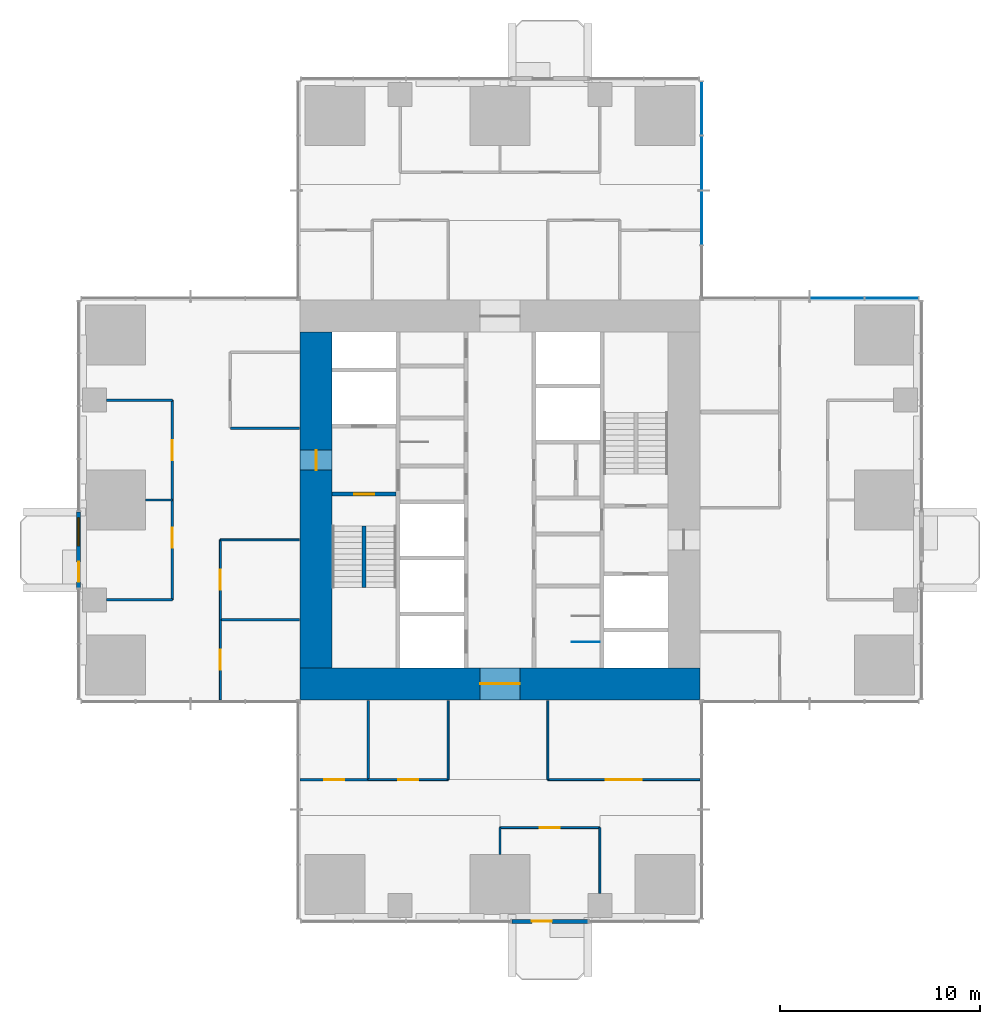
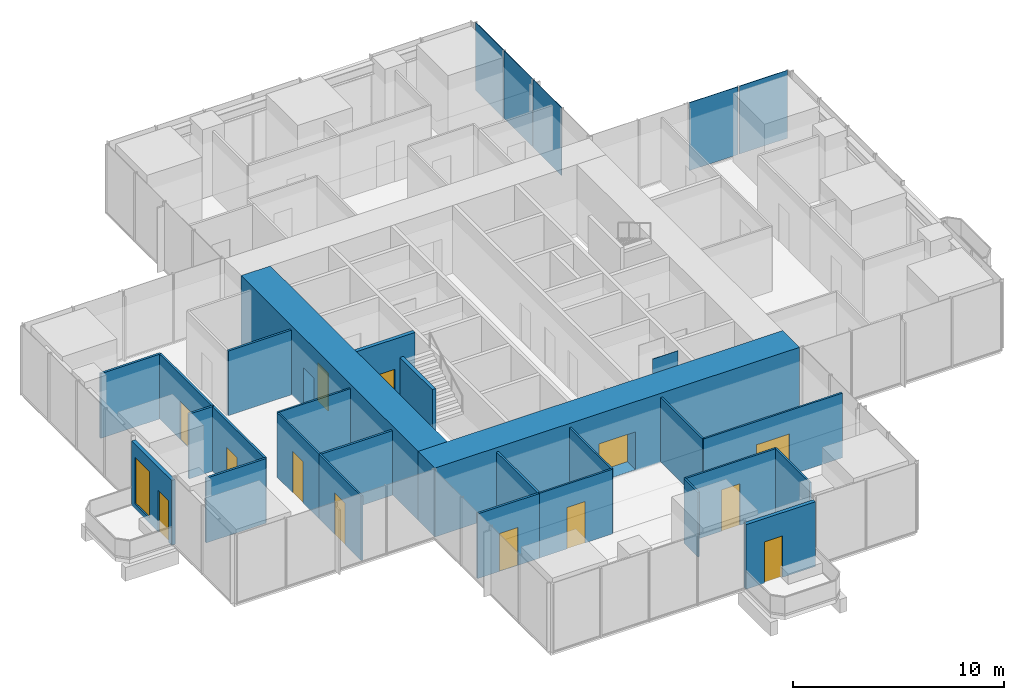
# One storey, part 8 of 14: 26 walls, 13 doors, 5 plates, 1 window, 14 openings, 2 elements without a shape of their own.
"""IFC4 building model written with IfcOpenShell, lengths in metres."""

from ifc_helpers import new_model, si_unit, direction, frame, frame_2d, origin, origin_2d, place, context, subcontext, project, spatial, rectangle, extrude, material, layer, layer_set, type_object, element, fill, aggregate, save


model = new_model("IFC4")

# Units and contexts
model_context = context("Model", 3, precision=1e-05, world=origin(), true_north=direction((0.0, 1.0)))
body_context = subcontext(model_context, "Body", "Model", "MODEL_VIEW")
ifc_project = project(units=[si_unit("LENGTHUNIT", "METRE"), si_unit("AREAUNIT", "SQUARE_METRE"), si_unit("VOLUMEUNIT", "CUBIC_METRE"), si_unit("PLANEANGLEUNIT", "RADIAN"), si_unit("MASSUNIT", "GRAM", prefix="KILO")], contexts=[model_context])

# Site, building, storey
site_placement = place(None, origin())
site = spatial("IfcSite", under=ifc_project, at=site_placement, CompositionType="ELEMENT")
building_placement = place(site_placement, origin())
building = spatial("IfcBuilding", under=site, at=building_placement, Name="Svetlomir Tower", CompositionType="ELEMENT")
storey_placement = place(building_placement, frame((0.0, 0.0, 104.5)))
storey = spatial("IfcBuildingStorey", under=building, at=storey_placement, Name="L24", CompositionType="ELEMENT", Elevation=104.5)

# Curtain wall, plates
ifc_material_1 = material(Name="Bronze anodised aluminium curtain wall", Category="aluminium")
curtain_wall_type = type_object("IfcCurtainWallType", Name="CURTAIN WALL CW1 TOWER OFFICE", PredefinedType="NOTDEFINED", material=ifc_material_1)
curtain_wall_1_placement = place(storey_placement, origin())
curtain_wall_1 = element("IfcCurtainWall", 1, at=curtain_wall_1_placement, inside=storey, type_object=curtain_wall_type, Name="Curtain wall CW1 L24", PredefinedType="NOTDEFINED")
ifc_material_2 = material(Name="Tinted double glazed unit", Category="glass")
ifc_layer_1 = layer(ifc_material_2, 0.031982421875)
ifc_layer_set_1 = layer_set([ifc_layer_1], Name="Tinted double glazed unit")
plate_type = type_object("IfcPlateType", Name="CW1 GLAZED PANEL 32", PredefinedType="CURTAIN_PANEL", material=ifc_layer_set_1)
plate_1_placement = place(storey_placement, frame((40.608642578125, 31.10009765625, 0.06494140625), z_axis=(0.0, 0.0, 1.0), x_axis=(-1.0, 0.0, 0.0)))
plate_1 = element("IfcPlate", 2, at=plate_1_placement, type_object=plate_type, Name="CW1 panel 1.1", PredefinedType="CURTAIN_PANEL", context=body_context, shape_type="SweptSolid", body=[
    extrude(rectangle(XDim=2.652587890625, YDim=0.031982421875, at=origin_2d()), origin(), (0.0, 0.0, 1.0), 3.93505859375),
])
plate_2_placement = place(storey_placement, frame((37.875, 31.10009765625, 0.06494140625), z_axis=(0.0, 0.0, 1.0), x_axis=(-1.0, 0.0, 0.0)))
plate_2 = element("IfcPlate", 3, at=plate_2_placement, type_object=plate_type, Name="CW1 panel 2.1", PredefinedType="CURTAIN_PANEL", context=body_context, shape_type="SweptSolid", body=[
    extrude(rectangle(XDim=2.68505859375, YDim=0.031982421875, at=origin_2d()), origin(), (0.0, 0.0, 1.0), 3.93505859375),
])
aggregate(curtain_wall_1, [plate_1, plate_2])

curtain_wall_2_placement = place(storey_placement, origin())
curtain_wall_2 = element("IfcCurtainWall", 4, at=curtain_wall_2_placement, inside=storey, type_object=curtain_wall_type, Name="Curtain wall CW1 L24", PredefinedType="NOTDEFINED")
plate_3_placement = place(storey_placement, frame((31.10009765625, 35.125, 0.06494140625), z_axis=(0.0, 0.0, 1.0), x_axis=(0.0, 1.0, 0.0)))
plate_3 = element("IfcPlate", 5, at=plate_3_placement, type_object=plate_type, Name="CW1 panel 2.1", PredefinedType="CURTAIN_PANEL", context=body_context, shape_type="SweptSolid", body=[
    extrude(rectangle(XDim=2.68505859375, YDim=0.031982421875, at=origin_2d()), origin(), (0.0, 0.0, 1.0), 3.93505859375),
])
plate_4_placement = place(storey_placement, frame((31.10009765625, 37.875, 0.06494140625), z_axis=(0.0, 0.0, 1.0), x_axis=(0.0, 1.0, 0.0)))
plate_4 = element("IfcPlate", 6, at=plate_4_placement, type_object=plate_type, Name="CW1 panel 3.1", PredefinedType="CURTAIN_PANEL", context=body_context, shape_type="SweptSolid", body=[
    extrude(rectangle(XDim=2.68505859375, YDim=0.031982421875, at=origin_2d()), origin(), (0.0, 0.0, 1.0), 3.93505859375),
])
plate_5_placement = place(storey_placement, frame((31.10009765625, 40.608642578125, 0.06494140625), z_axis=(0.0, 0.0, 1.0), x_axis=(0.0, 1.0, 0.0)))
plate_5 = element("IfcPlate", 7, at=plate_5_placement, type_object=plate_type, Name="CW1 panel 4.1", PredefinedType="CURTAIN_PANEL", context=body_context, shape_type="SweptSolid", body=[
    extrude(rectangle(XDim=2.652587890625, YDim=0.031982421875, at=origin_2d()), origin(), (0.0, 0.0, 1.0), 3.93505859375),
])
aggregate(curtain_wall_2, [plate_3, plate_4, plate_5])

# Wall, opening, door
ifc_material_3 = material(Name="Bronze anodised aluminium glazed screen", Category="aluminium")
ifc_layer_2 = layer(ifc_material_3, 0.199951171875)
ifc_layer_set_2 = layer_set([ifc_layer_2], Name="Bronze anodised aluminium glazed screen")
wall_type_1 = type_object("IfcWallType", Name="BALCONY SCREEN WALL 200", PredefinedType="USERDEFINED", material=ifc_layer_set_2)
wall_1_placement = place(storey_placement, frame((21.60009765625, -0.10009765625, 0.0), z_axis=(0.0, 0.0, 1.0), x_axis=(1.0, 0.0, 0.0)))
wall_1 = element("IfcWall", 8, at=wall_1_placement, inside=storey, type_object=wall_type_1, Name="Balcony screen S", ObjectType="GLAZED SCREEN", PredefinedType="USERDEFINED", context=body_context, shape_type="SweptSolid", body=[
    extrude(rectangle(XDim=3.7998046875, YDim=0.199951171875, at=frame_2d((1.89990234375, 0.0))), origin(), (0.0, 0.0, 1.0), 3.75),
])
opening_1_placement = place(wall_1_placement, frame((1.0, 0.0, 0.0)))
opening_1 = element("IfcOpeningElement", 9, at=opening_1_placement, cuts=wall_1, Name="Opening BD", PredefinedType="OPENING", context=body_context, shape_type="SweptSolid", body=[
    extrude(rectangle(XDim=1.0, YDim=2.39990234375, at=frame_2d((0.5, 1.199951171875))), frame((0.0, 0.10986328125, 0.0), z_axis=(0.0, -1.0, 0.0), x_axis=(1.0, 0.0, 0.0)), (0.0, 0.0, 1.0), 0.219970703125),
])
ifc_material_4 = material(Name="Bronze anodised aluminium glazed door", Category="aluminium")
door_type_1 = type_object("IfcDoorType", Name="BALCONY DOOR BD 1000x2400", OperationType="SINGLE_SWING_LEFT", PredefinedType="DOOR", material=ifc_material_4)
door_1_placement = place(opening_1_placement, origin())
door_1 = element("IfcDoor", 10, at=door_1_placement, inside=storey, type_object=door_type_1, Name="Balcony screen S door", OperationType="SINGLE_SWING_LEFT", OverallHeight=2.39990234375, OverallWidth=1.0, PredefinedType="DOOR", context=body_context, shape_type="SweptSolid", body=[
    extrude(rectangle(XDim=1.0, YDim=2.39990234375, at=frame_2d((0.5, 1.199951171875))), frame((0.0, 0.02490234375, 0.0), z_axis=(0.0, -1.0, 0.0), x_axis=(1.0, 0.0, 0.0)), (0.0, 0.0, 1.0), 0.050048828125),
])
fill(opening_1, door_1)

# Wall, openings, door, window
wall_2_placement = place(storey_placement, frame((-0.10009765625, 20.39990234375, 0.0), z_axis=(0.0, 0.0, 1.0), x_axis=(0.0, -1.0, 0.0)))
wall_2 = element("IfcWall", 11, at=wall_2_placement, inside=storey, type_object=wall_type_1, Name="Balcony screen W", ObjectType="GLAZED SCREEN", PredefinedType="USERDEFINED", context=body_context, shape_type="SweptSolid", body=[
    extrude(rectangle(XDim=3.7998046875, YDim=0.199951171875, at=frame_2d((1.89990234375, 0.0))), origin(), (0.0, 0.0, 1.0), 3.75),
])
opening_2_placement = place(wall_2_placement, frame((2.5, 0.0, 0.0)))
opening_2 = element("IfcOpeningElement", 12, at=opening_2_placement, cuts=wall_2, Name="Opening BD", PredefinedType="OPENING", context=body_context, shape_type="SweptSolid", body=[
    extrude(rectangle(XDim=1.0, YDim=2.39990234375, at=frame_2d((0.5, 1.199951171875))), frame((0.0, 0.10986328125, 0.0), z_axis=(0.0, -1.0, 0.0), x_axis=(1.0, 0.0, 0.0)), (0.0, 0.0, 1.0), 0.219970703125),
])
opening_3_placement = place(wall_2_placement, frame((0.300048828125, 0.0, 0.300048828125)))
opening_3 = element("IfcOpeningElement", 13, at=opening_3_placement, cuts=wall_2, Name="Opening WS2", PredefinedType="OPENING", context=body_context, shape_type="SweptSolid", body=[
    extrude(rectangle(XDim=1.39990234375, YDim=2.699951171875, at=frame_2d((0.699951171875, 1.35009765625))), frame((0.0, 0.10986328125, 0.0), z_axis=(0.0, -1.0, 0.0), x_axis=(1.0, 0.0, 0.0)), (0.0, 0.0, 1.0), 0.219970703125),
])
door_2_placement = place(opening_2_placement, origin())
door_2 = element("IfcDoor", 14, at=door_2_placement, inside=storey, type_object=door_type_1, Name="Balcony screen W door", OperationType="SINGLE_SWING_LEFT", OverallHeight=2.39990234375, OverallWidth=1.0, PredefinedType="DOOR", context=body_context, shape_type="SweptSolid", body=[
    extrude(rectangle(XDim=1.0, YDim=2.39990234375, at=frame_2d((0.5, 1.199951171875))), frame((0.0, 0.02490234375, 0.0), z_axis=(0.0, -1.0, 0.0), x_axis=(1.0, 0.0, 0.0)), (0.0, 0.0, 1.0), 0.050048828125),
])
fill(opening_2, door_2)
ifc_material_5 = material(Name="Bronze anodised aluminium window", Category="aluminium")
window_type = type_object("IfcWindowType", Name="SCREEN WINDOW WS2 1400x2700", PartitioningType="SINGLE_PANEL", PredefinedType="WINDOW", material=ifc_material_5)
window_placement = place(opening_3_placement, origin())
window = element("IfcWindow", 15, at=window_placement, inside=storey, type_object=window_type, Name="Balcony screen W window 1", OverallHeight=2.699951171875, OverallWidth=1.39990234375, PartitioningType="SINGLE_PANEL", PredefinedType="WINDOW", context=body_context, shape_type="SweptSolid", body=[
    extrude(rectangle(XDim=1.39990234375, YDim=2.699951171875, at=frame_2d((0.699951171875, 1.35009765625))), frame((0.0, 0.030029296875, 0.0), z_axis=(0.0, -1.0, 0.0), x_axis=(1.0, 0.0, 0.0)), (0.0, 0.0, 1.0), 0.06005859375),
])
fill(opening_3, window)

# Wall, opening, door
ifc_material_6 = material(Name="Concrete C60/75", Category="concrete")
ifc_layer_3 = layer(ifc_material_6, 0.199951171875)
ifc_layer_set_3 = layer_set([ifc_layer_3], Name="Concrete C60/75")
wall_type_2 = type_object("IfcWallType", Name="CORE INNER WALL 200", PredefinedType="SHEAR", material=ifc_layer_set_3)
wall_3_placement = place(storey_placement, frame((12.60009765625, 21.300048828125, -0.050048828125), z_axis=(0.0, 0.0, 1.0), x_axis=(1.0, 0.0, 0.0)))
wall_3 = element("IfcWall", 16, at=wall_3_placement, inside=storey, type_object=wall_type_2, Name="Core inner wall 12.6-15.8/21.3 L24", PredefinedType="SHEAR", context=body_context, shape_type="SweptSolid", body=[
    extrude(rectangle(XDim=3.199951171875, YDim=0.199951171875, at=frame_2d((1.60009765625, 0.0))), origin(), (0.0, 0.0, 1.0), 4.0),
])
opening_4_placement = place(wall_3_placement, frame((1.10009765625, 0.0, 0.050048828125)))
opening_4 = element("IfcOpeningElement", 17, at=opening_4_placement, cuts=wall_3, Name="Opening DF", PredefinedType="OPENING", context=body_context, shape_type="SweptSolid", body=[
    extrude(rectangle(XDim=1.0, YDim=2.199951171875, at=frame_2d((0.5, 1.10009765625))), frame((0.0, 0.10986328125, 0.0), z_axis=(0.0, -1.0, 0.0), x_axis=(1.0, 0.0, 0.0)), (0.0, 0.0, 1.0), 0.219970703125),
])
ifc_material_7 = material(Name="Steel fire door", Category="steel")
door_type_2 = type_object("IfcDoorType", Name="DOOR DF 1000x2200", OperationType="SINGLE_SWING_LEFT", PredefinedType="DOOR", material=ifc_material_7)
door_3_placement = place(opening_4_placement, origin())
door_3 = element("IfcDoor", 18, at=door_3_placement, inside=storey, type_object=door_type_2, Name="Stair S1 door L24", OperationType="SINGLE_SWING_LEFT", OverallHeight=2.199951171875, OverallWidth=1.0, PredefinedType="DOOR", context=body_context, shape_type="SweptSolid", body=[
    extrude(rectangle(XDim=1.0, YDim=2.199951171875, at=frame_2d((0.5, 1.10009765625))), frame((0.0, 0.02490234375, 0.0), z_axis=(0.0, -1.0, 0.0), x_axis=(1.0, 0.0, 0.0)), (0.0, 0.0, 1.0), 0.050048828125),
])
fill(opening_4, door_3)

ifc_material_8 = material(Name="Concrete C60/75", Category="concrete")
ifc_layer_4 = layer(ifc_material_8, 1.60009765625)
ifc_layer_set_4 = layer_set([ifc_layer_4], Name="Concrete C60/75")
wall_type_3 = type_object("IfcWallType", Name="CORE WALL 1600", PredefinedType="SHEAR", material=ifc_layer_set_4)
wall_4_placement = place(storey_placement, frame((11.0, 11.800048828125, -0.050048828125), z_axis=(0.0, 0.0, 1.0), x_axis=(1.0, 0.0, 0.0)))
wall_4 = element("IfcWall", 19, at=wall_4_placement, inside=storey, type_object=wall_type_3, Name="Core wall south L24", PredefinedType="SHEAR", context=body_context, shape_type="SweptSolid", body=[
    extrude(rectangle(XDim=20.0, YDim=1.60009765625, at=frame_2d((10.0, 0.0))), origin(), (0.0, 0.0, 1.0), 4.0),
])
opening_5_placement = place(wall_4_placement, frame((9.0, 0.0, 0.050048828125)))
opening_5 = element("IfcOpeningElement", 20, at=opening_5_placement, cuts=wall_4, Name="Opening DL", PredefinedType="OPENING", context=body_context, shape_type="SweptSolid", body=[
    extrude(rectangle(XDim=2.0, YDim=2.199951171875, at=frame_2d((1.0, 1.10009765625))), frame((0.0, 0.81005859375, 0.0), z_axis=(0.0, -1.0, 0.0), x_axis=(1.0, 0.0, 0.0)), (0.0, 0.0, 1.0), 1.6201171875),
])
ifc_material_9 = material(Name="Steel fire door", Category="steel")
door_type_3 = type_object("IfcDoorType", Name="DOOR DL 2000x2200", OperationType="DOUBLE_DOOR_SINGLE_SWING", PredefinedType="DOOR", material=ifc_material_9)
door_4_placement = place(opening_5_placement, origin())
door_4 = element("IfcDoor", 21, at=door_4_placement, inside=storey, type_object=door_type_3, Name="Lift lobby south door L24", OperationType="DOUBLE_DOOR_SINGLE_SWING", OverallHeight=2.199951171875, OverallWidth=2.0, PredefinedType="DOOR", context=body_context, shape_type="SweptSolid", body=[
    extrude(rectangle(XDim=2.0, YDim=2.199951171875, at=frame_2d((1.0, 1.10009765625))), frame((0.0, 0.02490234375, 0.0), z_axis=(0.0, -1.0, 0.0), x_axis=(1.0, 0.0, 0.0)), (0.0, 0.0, 1.0), 0.050048828125),
])
fill(opening_5, door_4)

wall_5_placement = place(storey_placement, frame((11.800048828125, 12.60009765625, -0.050048828125), z_axis=(0.0, 0.0, 1.0), x_axis=(0.0, 1.0, 0.0)))
wall_5 = element("IfcWall", 22, at=wall_5_placement, inside=storey, type_object=wall_type_3, Name="Core wall west L24", PredefinedType="SHEAR", context=body_context, shape_type="SweptSolid", body=[
    extrude(rectangle(XDim=16.7998046875, YDim=1.60009765625, at=frame_2d((8.39990234375, 0.0))), origin(), (0.0, 0.0, 1.0), 4.0),
])
opening_6_placement = place(wall_5_placement, frame((9.89990234375, 0.0, 0.050048828125)))
opening_6 = element("IfcOpeningElement", 23, at=opening_6_placement, cuts=wall_5, Name="Opening DF", PredefinedType="OPENING", context=body_context, shape_type="SweptSolid", body=[
    extrude(rectangle(XDim=1.0, YDim=2.199951171875, at=frame_2d((0.5, 1.10009765625))), frame((0.0, 0.81005859375, 0.0), z_axis=(0.0, -1.0, 0.0), x_axis=(1.0, 0.0, 0.0)), (0.0, 0.0, 1.0), 1.6201171875),
])
door_5_placement = place(opening_6_placement, origin())
door_5 = element("IfcDoor", 24, at=door_5_placement, inside=storey, type_object=door_type_2, Name="Firefighting lobby west door L24", OperationType="SINGLE_SWING_LEFT", OverallHeight=2.199951171875, OverallWidth=1.0, PredefinedType="DOOR", context=body_context, shape_type="SweptSolid", body=[
    extrude(rectangle(XDim=1.0, YDim=2.199951171875, at=frame_2d((0.5, 1.10009765625))), frame((0.0, 0.02490234375, 0.0), z_axis=(0.0, -1.0, 0.0), x_axis=(1.0, 0.0, 0.0)), (0.0, 0.0, 1.0), 0.050048828125),
])
fill(opening_6, door_5)

ifc_material_10 = material(Name="Framed laminated glass partition", Category="glass")
ifc_layer_5 = layer(ifc_material_10, 0.10009765625)
ifc_layer_set_5 = layer_set([ifc_layer_5], Name="Framed laminated glass partition")
wall_type_4 = type_object("IfcWallType", Name="GLAZED PARTITION 100", PredefinedType="PARTITIONING", material=ifc_layer_set_5)
wall_6_placement = place(storey_placement, frame((7.0, 11.0, 0.0), z_axis=(0.0, 0.0, 1.0), x_axis=(0.0, 1.0, 0.0)))
wall_6 = element("IfcWall", 25, at=wall_6_placement, inside=storey, type_object=wall_type_4, Name="Glazed partition L24", PredefinedType="PARTITIONING", context=body_context, shape_type="SweptSolid", body=[
    extrude(rectangle(XDim=4.0, YDim=0.10009765625, at=frame_2d((2.0, 0.0))), origin(), (0.0, 0.0, 1.0), 3.75),
])
opening_7_placement = place(wall_6_placement, frame((1.5, 0.0, 0.0)))
opening_7 = element("IfcOpeningElement", 26, at=opening_7_placement, cuts=wall_6, Name="Opening DG", PredefinedType="OPENING", context=body_context, shape_type="SweptSolid", body=[
    extrude(rectangle(XDim=1.0, YDim=2.39990234375, at=frame_2d((0.5, 1.199951171875))), frame((0.0, 0.06005859375, 0.0), z_axis=(0.0, -1.0, 0.0), x_axis=(1.0, 0.0, 0.0)), (0.0, 0.0, 1.0), 0.1201171875),
])
ifc_material_11 = material(Name="Framed laminated glass door", Category="glass")
door_type_4 = type_object("IfcDoorType", Name="GLAZED DOOR DG 1000x2400", OperationType="SINGLE_SWING_LEFT", PredefinedType="DOOR", material=ifc_material_11)
door_6_placement = place(opening_7_placement, origin())
door_6 = element("IfcDoor", 27, at=door_6_placement, inside=storey, type_object=door_type_4, Name="Meeting room, 4 seats door L24", OperationType="SINGLE_SWING_RIGHT", OverallHeight=2.39990234375, OverallWidth=1.0, PredefinedType="DOOR", context=body_context, shape_type="SweptSolid", body=[
    extrude(rectangle(XDim=1.0, YDim=2.39990234375, at=frame_2d((0.5, 1.199951171875))), frame((0.0, 0.02490234375, 0.0), z_axis=(0.0, -1.0, 0.0), x_axis=(1.0, 0.0, 0.0)), (0.0, 0.0, 1.0), 0.050048828125),
])
fill(opening_7, door_6)

wall_7_placement = place(storey_placement, frame((7.0, 15.0, 0.0), z_axis=(0.0, 0.0, 1.0), x_axis=(0.0, 1.0, 0.0)))
wall_7 = element("IfcWall", 28, at=wall_7_placement, inside=storey, type_object=wall_type_4, Name="Glazed partition L24", PredefinedType="PARTITIONING", context=body_context, shape_type="SweptSolid", body=[
    extrude(rectangle(XDim=4.0, YDim=0.10009765625, at=frame_2d((2.0, 0.0))), origin(), (0.0, 0.0, 1.0), 3.75),
])
opening_8_placement = place(wall_7_placement, frame((1.5, 0.0, 0.0)))
opening_8 = element("IfcOpeningElement", 29, at=opening_8_placement, cuts=wall_7, Name="Opening DG", PredefinedType="OPENING", context=body_context, shape_type="SweptSolid", body=[
    extrude(rectangle(XDim=1.0, YDim=2.39990234375, at=frame_2d((0.5, 1.199951171875))), frame((0.0, 0.06005859375, 0.0), z_axis=(0.0, -1.0, 0.0), x_axis=(1.0, 0.0, 0.0)), (0.0, 0.0, 1.0), 0.1201171875),
])
door_7_placement = place(opening_8_placement, origin())
door_7 = element("IfcDoor", 30, at=door_7_placement, inside=storey, type_object=door_type_4, Name="Focus room 1 door L24", OperationType="SINGLE_SWING_RIGHT", OverallHeight=2.39990234375, OverallWidth=1.0, PredefinedType="DOOR", context=body_context, shape_type="SweptSolid", body=[
    extrude(rectangle(XDim=1.0, YDim=2.39990234375, at=frame_2d((0.5, 1.199951171875))), frame((0.0, 0.02490234375, 0.0), z_axis=(0.0, -1.0, 0.0), x_axis=(1.0, 0.0, 0.0)), (0.0, 0.0, 1.0), 0.050048828125),
])
fill(opening_8, door_7)

# Wall
wall_8_placement = place(storey_placement, frame((7.0, 19.0, 0.0), z_axis=(0.0, 0.0, 1.0), x_axis=(1.0, 0.0, 0.0)))
element("IfcWall", 31, at=wall_8_placement, inside=storey, type_object=wall_type_4, Name="Glazed partition L24", PredefinedType="PARTITIONING", context=body_context, shape_type="SweptSolid", body=[
    extrude(rectangle(XDim=3.949951171875, YDim=0.10009765625, at=frame_2d((1.97509765625, 0.0))), origin(), (0.0, 0.0, 1.0), 3.75),
])

# Wall, opening, door
wall_9_placement = place(storey_placement, frame((14.39990234375, 7.0, 0.0), z_axis=(0.0, 0.0, 1.0), x_axis=(1.0, 0.0, 0.0)))
wall_9 = element("IfcWall", 32, at=wall_9_placement, inside=storey, type_object=wall_type_4, Name="Glazed partition L24", PredefinedType="PARTITIONING", context=body_context, shape_type="SweptSolid", body=[
    extrude(rectangle(XDim=4.0, YDim=0.10009765625, at=frame_2d((2.0, 0.0))), origin(), (0.0, 0.0, 1.0), 3.75),
])
opening_9_placement = place(wall_9_placement, frame((1.5, 0.0, 0.0)))
opening_9 = element("IfcOpeningElement", 33, at=opening_9_placement, cuts=wall_9, Name="Opening DG", PredefinedType="OPENING", context=body_context, shape_type="SweptSolid", body=[
    extrude(rectangle(XDim=1.0, YDim=2.39990234375, at=frame_2d((0.5, 1.199951171875))), frame((0.0, 0.06005859375, 0.0), z_axis=(0.0, -1.0, 0.0), x_axis=(1.0, 0.0, 0.0)), (0.0, 0.0, 1.0), 0.1201171875),
])
door_8_placement = place(opening_9_placement, origin())
door_8 = element("IfcDoor", 34, at=door_8_placement, inside=storey, type_object=door_type_4, Name="Witness interview room door L24", OperationType="SINGLE_SWING_LEFT", OverallHeight=2.39990234375, OverallWidth=1.0, PredefinedType="DOOR", context=body_context, shape_type="SweptSolid", body=[
    extrude(rectangle(XDim=1.0, YDim=2.39990234375, at=frame_2d((0.5, 1.199951171875))), frame((0.0, 0.02490234375, 0.0), z_axis=(0.0, -1.0, 0.0), x_axis=(1.0, 0.0, 0.0)), (0.0, 0.0, 1.0), 0.050048828125),
])
fill(opening_9, door_8)

# Walls
wall_10_placement = place(storey_placement, frame((18.39990234375, 7.0, 0.0), z_axis=(0.0, 0.0, 1.0), x_axis=(0.0, 1.0, 0.0)))
element("IfcWall", 35, at=wall_10_placement, inside=storey, type_object=wall_type_4, Name="Glazed partition L24", PredefinedType="PARTITIONING", context=body_context, shape_type="SweptSolid", body=[
    extrude(rectangle(XDim=3.949951171875, YDim=0.10009765625, at=frame_2d((1.97509765625, 0.0))), origin(), (0.0, 0.0, 1.0), 3.75),
])
wall_11_placement = place(storey_placement, frame((21.0, 3.260009765625, 0.0), z_axis=(0.0, 0.0, 1.0), x_axis=(0.0, 1.0, 0.0)))
element("IfcWall", 36, at=wall_11_placement, inside=storey, type_object=wall_type_4, Name="Glazed partition L24", PredefinedType="PARTITIONING", context=body_context, shape_type="SweptSolid", body=[
    extrude(rectangle(XDim=1.340087890625, YDim=0.10009765625, at=frame_2d((0.669921875, 0.0))), origin(), (0.0, 0.0, 1.0), 3.75),
])

# Wall, opening, door
wall_12_placement = place(storey_placement, frame((21.0, 4.60009765625, 0.0), z_axis=(0.0, 0.0, 1.0), x_axis=(1.0, 0.0, 0.0)))
wall_12 = element("IfcWall", 37, at=wall_12_placement, inside=storey, type_object=wall_type_4, Name="Glazed partition L24", PredefinedType="PARTITIONING", context=body_context, shape_type="SweptSolid", body=[
    extrude(rectangle(XDim=5.0, YDim=0.10009765625, at=frame_2d((2.5, 0.0))), origin(), (0.0, 0.0, 1.0), 3.75),
])
opening_10_placement = place(wall_12_placement, frame((2.0, 0.0, 0.0)))
opening_10 = element("IfcOpeningElement", 38, at=opening_10_placement, cuts=wall_12, Name="Opening DG", PredefinedType="OPENING", context=body_context, shape_type="SweptSolid", body=[
    extrude(rectangle(XDim=1.0, YDim=2.39990234375, at=frame_2d((0.5, 1.199951171875))), frame((0.0, 0.06005859375, 0.0), z_axis=(0.0, -1.0, 0.0), x_axis=(1.0, 0.0, 0.0)), (0.0, 0.0, 1.0), 0.1201171875),
])
door_9_placement = place(opening_10_placement, origin())
door_9 = element("IfcDoor", 39, at=door_9_placement, inside=storey, type_object=door_type_4, Name="Legal break-out and kitchenette door L24", OperationType="SINGLE_SWING_RIGHT", OverallHeight=2.39990234375, OverallWidth=1.0, PredefinedType="DOOR", context=body_context, shape_type="SweptSolid", body=[
    extrude(rectangle(XDim=1.0, YDim=2.39990234375, at=frame_2d((0.5, 1.199951171875))), frame((0.0, 0.02490234375, 0.0), z_axis=(0.0, -1.0, 0.0), x_axis=(1.0, 0.0, 0.0)), (0.0, 0.0, 1.0), 0.050048828125),
])
fill(opening_10, door_9)

# Wall
wall_13_placement = place(storey_placement, frame((23.39990234375, 7.0, 0.0), z_axis=(0.0, 0.0, 1.0), x_axis=(0.0, 1.0, 0.0)))
element("IfcWall", 40, at=wall_13_placement, inside=storey, type_object=wall_type_4, Name="Glazed partition L24", PredefinedType="PARTITIONING", context=body_context, shape_type="SweptSolid", body=[
    extrude(rectangle(XDim=3.949951171875, YDim=0.10009765625, at=frame_2d((1.97509765625, 0.0))), origin(), (0.0, 0.0, 1.0), 3.75),
])

# Wall, opening, door
wall_14_placement = place(storey_placement, frame((23.39990234375, 7.0, 0.0), z_axis=(0.0, 0.0, 1.0), x_axis=(1.0, 0.0, 0.0)))
wall_14 = element("IfcWall", 41, at=wall_14_placement, inside=storey, type_object=wall_type_4, Name="Glazed partition L24", PredefinedType="PARTITIONING", context=body_context, shape_type="SweptSolid", body=[
    extrude(rectangle(XDim=7.60009765625, YDim=0.10009765625, at=frame_2d((3.800048828125, 0.0))), origin(), (0.0, 0.0, 1.0), 3.75),
])
opening_11_placement = place(wall_14_placement, frame((2.89990234375, 0.0, 0.0)))
opening_11 = element("IfcOpeningElement", 42, at=opening_11_placement, cuts=wall_14, Name="Opening DD", PredefinedType="OPENING", context=body_context, shape_type="SweptSolid", body=[
    extrude(rectangle(XDim=1.800048828125, YDim=2.39990234375, at=frame_2d((0.89990234375, 1.199951171875))), frame((0.0, 0.06005859375, 0.0), z_axis=(0.0, -1.0, 0.0), x_axis=(1.0, 0.0, 0.0)), (0.0, 0.0, 1.0), 0.1201171875),
])
ifc_material_12 = material(Name="Timber door", Category="wood")
door_type_5 = type_object("IfcDoorType", Name="DOOR DD 1800x2400", OperationType="DOUBLE_DOOR_SINGLE_SWING", PredefinedType="DOOR", material=ifc_material_12)
door_10_placement = place(opening_11_placement, origin())
door_10 = element("IfcDoor", 43, at=door_10_placement, inside=storey, type_object=door_type_5, Name="Contract negotiation room, 14 seats door L24", OperationType="DOUBLE_DOOR_SINGLE_SWING", OverallHeight=2.39990234375, OverallWidth=1.800048828125, PredefinedType="DOOR", context=body_context, shape_type="SweptSolid", body=[
    extrude(rectangle(XDim=1.800048828125, YDim=2.39990234375, at=frame_2d((0.89990234375, 1.199951171875))), frame((0.0, 0.02490234375, 0.0), z_axis=(0.0, -1.0, 0.0), x_axis=(1.0, 0.0, 0.0)), (0.0, 0.0, 1.0), 0.050048828125),
])
fill(opening_11, door_10)

# Walls
wall_15_placement = place(storey_placement, frame((26.0, 1.31005859375, 0.0), z_axis=(0.0, 0.0, 1.0), x_axis=(0.0, 1.0, 0.0)))
element("IfcWall", 44, at=wall_15_placement, inside=storey, type_object=wall_type_4, Name="Glazed partition L24", PredefinedType="PARTITIONING", context=body_context, shape_type="SweptSolid", body=[
    extrude(rectangle(XDim=3.2900390625, YDim=0.10009765625, at=frame_2d((1.64501953125, 0.0))), origin(), (0.0, 0.0, 1.0), 3.75),
])
ifc_material_13 = material(Name="Gypsum board on steel studs", Category="steel")
ifc_layer_6 = layer(ifc_material_13, 0.1201171875)
ifc_layer_set_6 = layer_set([ifc_layer_6], Name="Gypsum board on steel studs")
wall_type_5 = type_object("IfcWallType", Name="PARTITION 120", PredefinedType="PARTITIONING", material=ifc_layer_set_6)
for number, where, z_axis, x_axis, name in (
    (45, (1.31005859375, 16.0, 0.0), (0.0, 0.0, 1.0), (1.0, 0.0, 0.0), "Partition L24"),
    (46, (1.31005859375, 26.0, 0.0), (0.0, 0.0, 1.0), (1.0, 0.0, 0.0), "Partition L24"),
):
    element("IfcWall", number, at=place(storey_placement, frame(where, z_axis=z_axis, x_axis=x_axis)), inside=storey, type_object=wall_type_5, Name=name, PredefinedType="PARTITIONING", context=body_context, shape_type="SweptSolid", body=[
        extrude(rectangle(XDim=3.2900390625, YDim=0.1201171875, at=frame_2d((1.64501953125, 0.0))), origin(), (0.0, 0.0, 1.0), 3.75),
    ])
wall_16_placement = place(storey_placement, frame((3.260009765625, 21.0, 0.0), z_axis=(0.0, 0.0, 1.0), x_axis=(1.0, 0.0, 0.0)))
element("IfcWall", 47, at=wall_16_placement, inside=storey, type_object=wall_type_5, Name="Partition L24", PredefinedType="PARTITIONING", context=body_context, shape_type="SweptSolid", body=[
    extrude(rectangle(XDim=1.340087890625, YDim=0.1201171875, at=frame_2d((0.669921875, 0.0))), origin(), (0.0, 0.0, 1.0), 3.75),
])

# Wall, opening, door
wall_17_placement = place(storey_placement, frame((4.60009765625, 16.0, 0.0), z_axis=(0.0, 0.0, 1.0), x_axis=(0.0, 1.0, 0.0)))
wall_17 = element("IfcWall", 48, at=wall_17_placement, inside=storey, type_object=wall_type_5, Name="Partition L24", PredefinedType="PARTITIONING", context=body_context, shape_type="SweptSolid", body=[
    extrude(rectangle(XDim=5.0, YDim=0.1201171875, at=frame_2d((2.5, 0.0))), origin(), (0.0, 0.0, 1.0), 3.75),
])
opening_12_placement = place(wall_17_placement, frame((2.60009765625, 0.0, 0.0)))
opening_12 = element("IfcOpeningElement", 49, at=opening_12_placement, cuts=wall_17, Name="Opening DR", PredefinedType="OPENING", context=body_context, shape_type="SweptSolid", body=[
    extrude(rectangle(XDim=1.0, YDim=2.199951171875, at=frame_2d((0.5, 1.10009765625))), frame((0.0, 0.070068359375, 0.0), z_axis=(0.0, -1.0, 0.0), x_axis=(1.0, 0.0, 0.0)), (0.0, 0.0, 1.0), 0.14013671875),
])
ifc_material_14 = material(Name="Timber door, glazed side light", Category="wood")
door_type_6 = type_object("IfcDoorType", Name="DOOR DR 1000x2200", OperationType="SINGLE_SWING_LEFT", PredefinedType="DOOR", material=ifc_material_14)
door_11_placement = place(opening_12_placement, origin())
door_11 = element("IfcDoor", 50, at=door_11_placement, inside=storey, type_object=door_type_6, Name="Counsel office 1 door L24", OperationType="SINGLE_SWING_RIGHT", OverallHeight=2.199951171875, OverallWidth=1.0, PredefinedType="DOOR", context=body_context, shape_type="SweptSolid", body=[
    extrude(rectangle(XDim=1.0, YDim=2.199951171875, at=frame_2d((0.5, 1.10009765625))), frame((0.0, 0.02490234375, 0.0), z_axis=(0.0, -1.0, 0.0), x_axis=(1.0, 0.0, 0.0)), (0.0, 0.0, 1.0), 0.050048828125),
])
fill(opening_12, door_11)

wall_18_placement = place(storey_placement, frame((4.60009765625, 21.0, 0.0), z_axis=(0.0, 0.0, 1.0), x_axis=(0.0, 1.0, 0.0)))
wall_18 = element("IfcWall", 51, at=wall_18_placement, inside=storey, type_object=wall_type_5, Name="Partition L24", PredefinedType="PARTITIONING", context=body_context, shape_type="SweptSolid", body=[
    extrude(rectangle(XDim=5.0, YDim=0.1201171875, at=frame_2d((2.5, 0.0))), origin(), (0.0, 0.0, 1.0), 3.75),
])
opening_13_placement = place(wall_18_placement, frame((2.0, 0.0, 0.0)))
opening_13 = element("IfcOpeningElement", 52, at=opening_13_placement, cuts=wall_18, Name="Opening DR", PredefinedType="OPENING", context=body_context, shape_type="SweptSolid", body=[
    extrude(rectangle(XDim=1.0, YDim=2.199951171875, at=frame_2d((0.5, 1.10009765625))), frame((0.0, 0.070068359375, 0.0), z_axis=(0.0, -1.0, 0.0), x_axis=(1.0, 0.0, 0.0)), (0.0, 0.0, 1.0), 0.14013671875),
])
door_12_placement = place(opening_13_placement, origin())
door_12 = element("IfcDoor", 53, at=door_12_placement, inside=storey, type_object=door_type_6, Name="Senior counsel office door L24", OperationType="SINGLE_SWING_LEFT", OverallHeight=2.199951171875, OverallWidth=1.0, PredefinedType="DOOR", context=body_context, shape_type="SweptSolid", body=[
    extrude(rectangle(XDim=1.0, YDim=2.199951171875, at=frame_2d((0.5, 1.10009765625))), frame((0.0, 0.02490234375, 0.0), z_axis=(0.0, -1.0, 0.0), x_axis=(1.0, 0.0, 0.0)), (0.0, 0.0, 1.0), 0.050048828125),
])
fill(opening_13, door_12)

# Walls
wall_19_placement = place(storey_placement, frame((7.0, 15.0, 0.0), z_axis=(0.0, 0.0, 1.0), x_axis=(1.0, 0.0, 0.0)))
element("IfcWall", 54, at=wall_19_placement, inside=storey, type_object=wall_type_5, Name="Partition L24", PredefinedType="PARTITIONING", context=body_context, shape_type="SweptSolid", body=[
    extrude(rectangle(XDim=3.949951171875, YDim=0.1201171875, at=frame_2d((1.97509765625, 0.0))), origin(), (0.0, 0.0, 1.0), 3.75),
])
wall_20_placement = place(storey_placement, frame((7.5, 24.60009765625, 0.0), z_axis=(0.0, 0.0, 1.0), x_axis=(1.0, 0.0, 0.0)))
element("IfcWall", 55, at=wall_20_placement, inside=storey, type_object=wall_type_5, Name="Partition L24", PredefinedType="PARTITIONING", context=body_context, shape_type="SweptSolid", body=[
    extrude(rectangle(XDim=3.449951171875, YDim=0.1201171875, at=frame_2d((1.72509765625, 0.0))), origin(), (0.0, 0.0, 1.0), 3.75),
])

# Wall, opening, door
wall_21_placement = place(storey_placement, frame((11.0, 7.0, 0.0), z_axis=(0.0, 0.0, 1.0), x_axis=(1.0, 0.0, 0.0)))
wall_21 = element("IfcWall", 56, at=wall_21_placement, inside=storey, type_object=wall_type_5, Name="Partition L24", PredefinedType="PARTITIONING", context=body_context, shape_type="SweptSolid", body=[
    extrude(rectangle(XDim=3.39990234375, YDim=0.1201171875, at=frame_2d((1.699951171875, 0.0))), origin(), (0.0, 0.0, 1.0), 3.75),
])
opening_14_placement = place(wall_21_placement, frame((1.199951171875, 0.0, 0.0)))
opening_14 = element("IfcOpeningElement", 57, at=opening_14_placement, cuts=wall_21, Name="Opening DR", PredefinedType="OPENING", context=body_context, shape_type="SweptSolid", body=[
    extrude(rectangle(XDim=1.0, YDim=2.199951171875, at=frame_2d((0.5, 1.10009765625))), frame((0.0, 0.070068359375, 0.0), z_axis=(0.0, -1.0, 0.0), x_axis=(1.0, 0.0, 0.0)), (0.0, 0.0, 1.0), 0.14013671875),
])
door_13_placement = place(opening_14_placement, origin())
door_13 = element("IfcDoor", 58, at=door_13_placement, inside=storey, type_object=door_type_6, Name="Paralegals office door L24", OperationType="SINGLE_SWING_RIGHT", OverallHeight=2.199951171875, OverallWidth=1.0, PredefinedType="DOOR", context=body_context, shape_type="SweptSolid", body=[
    extrude(rectangle(XDim=1.0, YDim=2.199951171875, at=frame_2d((0.5, 1.10009765625))), frame((0.0, 0.02490234375, 0.0), z_axis=(0.0, -1.0, 0.0), x_axis=(1.0, 0.0, 0.0)), (0.0, 0.0, 1.0), 0.050048828125),
])
fill(opening_14, door_13)

# Walls
wall_22_placement = place(storey_placement, frame((14.39990234375, 7.0, 0.0), z_axis=(0.0, 0.0, 1.0), x_axis=(0.0, 1.0, 0.0)))
element("IfcWall", 59, at=wall_22_placement, inside=storey, type_object=wall_type_5, Name="Partition L24", PredefinedType="PARTITIONING", context=body_context, shape_type="SweptSolid", body=[
    extrude(rectangle(XDim=3.949951171875, YDim=0.1201171875, at=frame_2d((1.97509765625, 0.0))), origin(), (0.0, 0.0, 1.0), 3.75),
])
ifc_material_15 = material(Name="Concrete C60/75", Category="concrete")
ifc_layer_7 = layer(ifc_material_15, 0.199951171875)
ifc_layer_set_7 = layer_set([ifc_layer_7], Name="Concrete C60/75")
wall_type_6 = type_object("IfcWallType", Name="STAIR SPINE WALL 200", PredefinedType="PARTITIONING", material=ifc_layer_set_7)
wall_23_placement = place(storey_placement, frame((14.199951171875, 16.6201171875, 0.0), z_axis=(0.0, 0.0, 1.0), x_axis=(0.0, 1.0, 0.0)))
element("IfcWall", 60, at=wall_23_placement, inside=storey, type_object=wall_type_6, Name="Stair S1 spine wall L24", PredefinedType="PARTITIONING", context=body_context, shape_type="SweptSolid", body=[
    extrude(rectangle(XDim=3.079833984375, YDim=0.199951171875, at=frame_2d((1.5400390625, 0.0))), origin(), (0.0, 0.0, 1.0), 4.0),
])
ifc_material_16 = material(Name="Compact laminate panel", Category="plastic")
ifc_layer_8 = layer(ifc_material_16, 0.030029296875)
ifc_layer_set_8 = layer_set([ifc_layer_8], Name="Compact laminate panel")
wall_type_7 = type_object("IfcWallType", Name="WC CUBICLE PARTITION 30", PredefinedType="PARTITIONING", material=ifc_layer_set_8)
wall_24_placement = place(storey_placement, frame((24.60009765625, 13.89990234375, 0.0), z_axis=(0.0, 0.0, 1.0), x_axis=(1.0, 0.0, 0.0)))
element("IfcWall", 61, at=wall_24_placement, inside=storey, type_object=wall_type_7, Name="WC cubicle partition L24", PredefinedType="PARTITIONING", context=body_context, shape_type="SweptSolid", body=[
    extrude(rectangle(XDim=1.39990234375, YDim=0.030029296875, at=frame_2d((0.699951171875, 0.0))), origin(), (0.0, 0.0, 1.0), 3.75),
])

save(model, "model.ifc")
